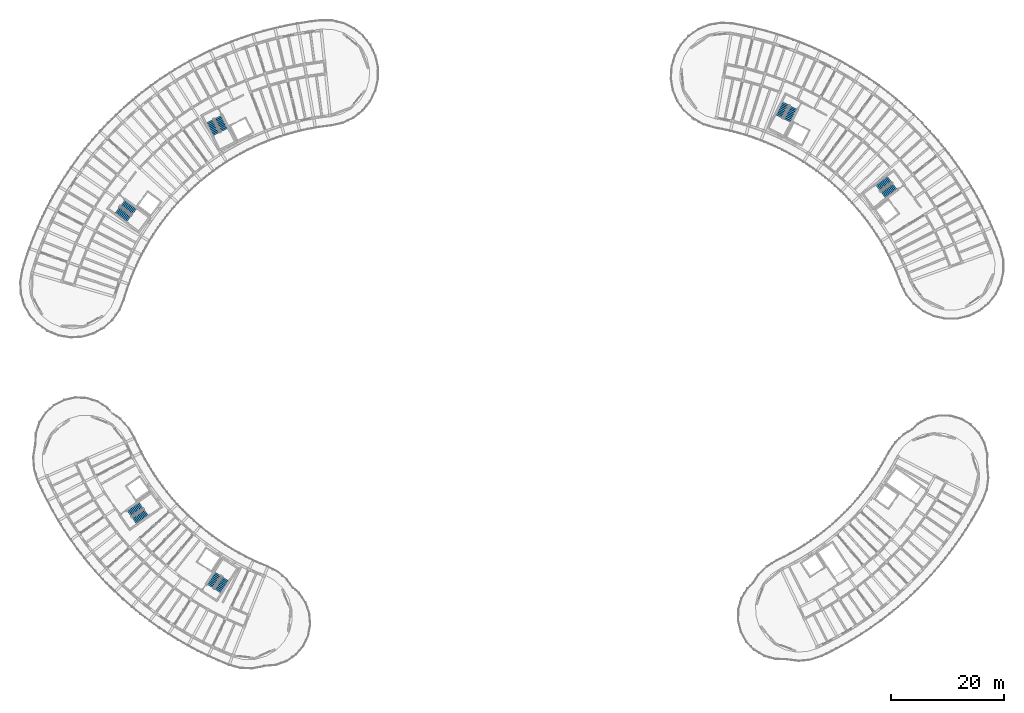
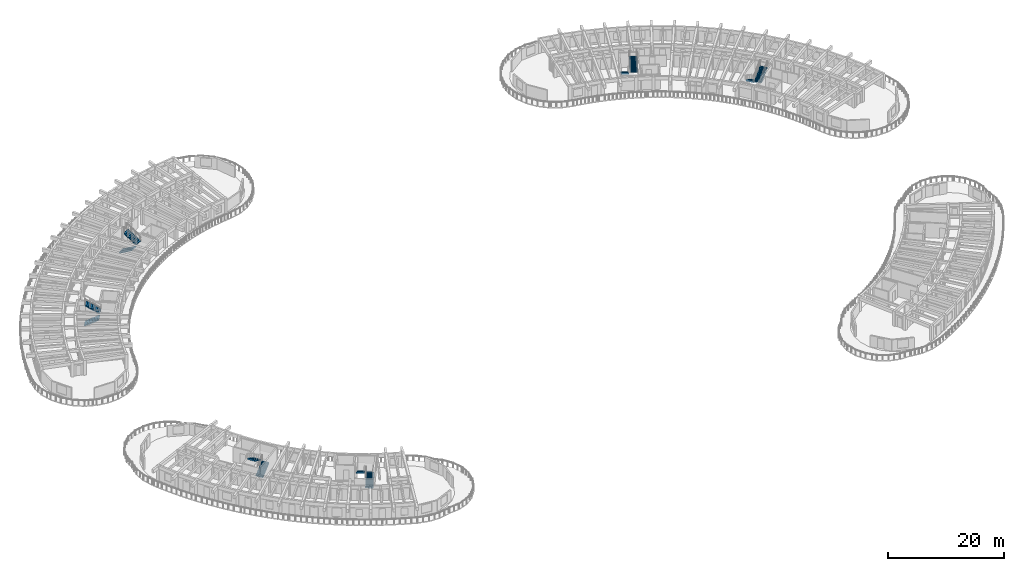
# One storey, part 37 of 56: 12 stair flights, 6 elements without a shape of their own.
"""IFC4 building model written with IfcOpenShell, lengths in metres."""

from ifc_helpers import new_model, si_unit, direction, frame, origin, place, context, subcontext, project, spatial, polyline, outline, extrude, material, layer, layer_set, type_object, element, aggregate, save


model = new_model("IFC4")

# Units and contexts
model_context = context("Model", 3, precision=1e-05, world=origin(), true_north=direction((0.0, 1.0)))
body_context = subcontext(model_context, "Body", "Model", "MODEL_VIEW")
ifc_project = project(units=[si_unit("LENGTHUNIT", "METRE"), si_unit("AREAUNIT", "SQUARE_METRE"), si_unit("VOLUMEUNIT", "CUBIC_METRE"), si_unit("PLANEANGLEUNIT", "RADIAN"), si_unit("MASSUNIT", "GRAM", prefix="KILO")], contexts=[model_context])

# Site, building, storey
site_placement = place(None, origin())
site = spatial("IfcSite", under=ifc_project, at=site_placement, CompositionType="ELEMENT")
building_placement = place(site_placement, origin())
building = spatial("IfcBuilding", under=site, at=building_placement, Name="Tanwirah Colonnade Gardens", CompositionType="ELEMENT")
storey_placement = place(building_placement, frame((0.0, 0.0, 29.0)))
storey = spatial("IfcBuildingStorey", under=building, at=storey_placement, Name="L08", CompositionType="ELEMENT", Elevation=29.0)

# Stair, stair flights
ifc_material = material(Name="Precast concrete C40/50", Category="concrete")
stair_type = type_object("IfcStairType", Name="ST-RES168", PredefinedType="HALF_TURN_STAIR", material=ifc_material)
stair_1_placement = place(storey_placement, origin())
stair_1 = element("IfcStair", 1, at=stair_1_placement, inside=storey, type_object=stair_type, Name="L08 Block A Core 1 Exit Stair", PredefinedType="HALF_TURN_STAIR")
ifc_layer = layer(ifc_material, 0.14990234375)
ifc_layer_set = layer_set([ifc_layer], Name="Precast concrete C40/50")
stair_flight_type = type_object("IfcStairFlightType", Name="FLT-RES150", PredefinedType="STRAIGHT", material=ifc_layer_set)
stair_flight_1_placement = place(storey_placement, frame((39.148681640625, 103.425048828125, 0.0), z_axis=(0.0, 0.0, 1.0), x_axis=(0.45399049974, -0.891006524188, 0.0)))
stair_flight_1 = element("IfcStairFlight", 2, at=stair_flight_1_placement, type_object=stair_flight_type, Name="ST-A1 flight 1", NumberOfRisers=10, NumberOfTreads=9, PredefinedType="STRAIGHT", RiserHeight=0.168, TreadLength=0.285, context=body_context, shape_type="SweptSolid", body=[
    extrude(outline(polyline([(-0.0048828125, 0.0), (0.0, 0.16796875), (0.284912109375, 0.16796875), (0.284912109375, 0.3359375), (0.570068359375, 0.3359375), (0.570068359375, 0.50390625), (0.85498046875, 0.50390625), (0.85498046875, 0.672119140625), (1.139892578125, 0.672119140625), (1.139892578125, 0.840087890625), (1.425048828125, 0.840087890625), (1.425048828125, 1.008056640625), (1.7099609375, 1.008056640625), (1.7099609375, 1.176025390625), (1.9951171875, 1.176025390625), (1.9951171875, 1.343994140625), (2.280029296875, 1.343994140625), (2.280029296875, 1.511962890625), (2.56494140625, 1.511962890625), (2.570068359375, 1.679931640625), (2.570068359375, 1.337890625), (0.30029296875, 0.0), (-0.0048828125, 0.0)])), frame((0.0, 0.68994140625, 0.0), z_axis=(0.0, -1.0, 0.0), x_axis=(1.0, 0.0, 0.0)), (0.0, 0.0, 1.0), 1.3798828125),
])
stair_flight_2_placement = place(storey_placement, frame((41.685302734375, 101.838623046875, 1.679931640625), z_axis=(0.0, 0.0, 1.0), x_axis=(-0.45399049974, 0.891006524188, 0.0)))
stair_flight_2 = element("IfcStairFlight", 3, at=stair_flight_2_placement, type_object=stair_flight_type, Name="ST-A1 flight 2", NumberOfRisers=10, NumberOfTreads=9, PredefinedType="STRAIGHT", RiserHeight=0.168, TreadLength=0.285, context=body_context, shape_type="SweptSolid", body=[
    extrude(outline(polyline([(-0.0048828125, 0.0), (0.0, 0.16796875), (0.284912109375, 0.16796875), (0.284912109375, 0.3359375), (0.570068359375, 0.3359375), (0.570068359375, 0.50390625), (0.85498046875, 0.50390625), (0.85498046875, 0.672119140625), (1.139892578125, 0.672119140625), (1.139892578125, 0.840087890625), (1.425048828125, 0.840087890625), (1.425048828125, 1.008056640625), (1.7099609375, 1.008056640625), (1.7099609375, 1.176025390625), (1.9951171875, 1.176025390625), (1.9951171875, 1.343994140625), (2.280029296875, 1.343994140625), (2.280029296875, 1.511962890625), (2.56494140625, 1.511962890625), (2.570068359375, 1.679931640625), (2.570068359375, 1.337890625), (0.30029296875, 0.0), (-0.0048828125, 0.0)])), frame((0.0, 0.68994140625, 0.0), z_axis=(0.0, -1.0, 0.0), x_axis=(1.0, 0.0, 0.0)), (0.0, 0.0, 1.0), 1.3798828125),
])
aggregate(stair_1, [stair_flight_1, stair_flight_2])

stair_2_placement = place(storey_placement, origin())
stair_2 = element("IfcStair", 4, at=stair_2_placement, inside=storey, type_object=stair_type, Name="L08 Block A Core 2 Exit Stair", PredefinedType="HALF_TURN_STAIR")
stair_flight_3_placement = place(storey_placement, frame((22.81640625, 87.7177734375, 0.0), z_axis=(0.0, 0.0, 1.0), x_axis=(0.798635510047, -0.601815023152, 0.0)))
stair_flight_3 = element("IfcStairFlight", 5, at=stair_flight_3_placement, type_object=stair_flight_type, Name="ST-A2 flight 1", NumberOfRisers=10, NumberOfTreads=9, PredefinedType="STRAIGHT", RiserHeight=0.168, TreadLength=0.285, context=body_context, shape_type="SweptSolid", body=[
    extrude(outline(polyline([(-0.0048828125, 0.0), (0.0, 0.16796875), (0.284912109375, 0.16796875), (0.284912109375, 0.3359375), (0.570068359375, 0.3359375), (0.570068359375, 0.50390625), (0.85498046875, 0.50390625), (0.85498046875, 0.672119140625), (1.139892578125, 0.672119140625), (1.139892578125, 0.840087890625), (1.425048828125, 0.840087890625), (1.425048828125, 1.008056640625), (1.7099609375, 1.008056640625), (1.7099609375, 1.176025390625), (1.9951171875, 1.176025390625), (1.9951171875, 1.343994140625), (2.280029296875, 1.343994140625), (2.280029296875, 1.511962890625), (2.56494140625, 1.511962890625), (2.570068359375, 1.679931640625), (2.570068359375, 1.337890625), (0.30029296875, 0.0), (-0.0048828125, 0.0)])), frame((0.0, 0.68994140625, 0.0), z_axis=(0.0, -1.0, 0.0), x_axis=(1.0, 0.0, 0.0)), (0.0, 0.0, 1.0), 1.3798828125),
])
stair_flight_4_placement = place(storey_placement, frame((25.791748046875, 87.404052734375, 1.679931640625), z_axis=(0.0, 0.0, 1.0), x_axis=(-0.798635510047, 0.601815023152, 0.0)))
stair_flight_4 = element("IfcStairFlight", 6, at=stair_flight_4_placement, type_object=stair_flight_type, Name="ST-A2 flight 2", NumberOfRisers=10, NumberOfTreads=9, PredefinedType="STRAIGHT", RiserHeight=0.168, TreadLength=0.285, context=body_context, shape_type="SweptSolid", body=[
    extrude(outline(polyline([(-0.0048828125, 0.0), (0.0, 0.16796875), (0.284912109375, 0.16796875), (0.284912109375, 0.3359375), (0.570068359375, 0.3359375), (0.570068359375, 0.50390625), (0.85498046875, 0.50390625), (0.85498046875, 0.672119140625), (1.139892578125, 0.672119140625), (1.139892578125, 0.840087890625), (1.425048828125, 0.840087890625), (1.425048828125, 1.008056640625), (1.7099609375, 1.008056640625), (1.7099609375, 1.176025390625), (1.9951171875, 1.176025390625), (1.9951171875, 1.343994140625), (2.280029296875, 1.343994140625), (2.280029296875, 1.511962890625), (2.56494140625, 1.511962890625), (2.570068359375, 1.679931640625), (2.570068359375, 1.337890625), (0.30029296875, 0.0), (-0.0048828125, 0.0)])), frame((0.0, 0.68994140625, 0.0), z_axis=(0.0, -1.0, 0.0), x_axis=(1.0, 0.0, 0.0)), (0.0, 0.0, 1.0), 1.3798828125),
])
aggregate(stair_2, [stair_flight_3, stair_flight_4])

stair_3_placement = place(storey_placement, origin())
stair_3 = element("IfcStair", 7, at=stair_3_placement, inside=storey, type_object=stair_type, Name="L08 Block B Core 1 Exit Stair", PredefinedType="HALF_TURN_STAIR")
stair_flight_5_placement = place(storey_placement, frame((159.079345703125, 93.16455078125, 0.0), z_axis=(0.0, 0.0, 1.0), x_axis=(-0.798635510047, -0.601815023152, 0.0)))
stair_flight_5 = element("IfcStairFlight", 8, at=stair_flight_5_placement, type_object=stair_flight_type, Name="ST-B1 flight 1", NumberOfRisers=10, NumberOfTreads=9, PredefinedType="STRAIGHT", RiserHeight=0.168, TreadLength=0.285, context=body_context, shape_type="SweptSolid", body=[
    extrude(outline(polyline([(-0.0048828125, 0.0), (0.0, 0.16796875), (0.284912109375, 0.16796875), (0.284912109375, 0.3359375), (0.570068359375, 0.3359375), (0.570068359375, 0.50390625), (0.85498046875, 0.50390625), (0.85498046875, 0.672119140625), (1.139892578125, 0.672119140625), (1.139892578125, 0.840087890625), (1.425048828125, 0.840087890625), (1.425048828125, 1.008056640625), (1.7099609375, 1.008056640625), (1.7099609375, 1.176025390625), (1.9951171875, 1.176025390625), (1.9951171875, 1.343994140625), (2.280029296875, 1.343994140625), (2.280029296875, 1.511962890625), (2.56494140625, 1.511962890625), (2.570068359375, 1.679931640625), (2.570068359375, 1.337890625), (0.30029296875, 0.0), (-0.0048828125, 0.0)])), frame((0.0, 0.68994140625, 0.0), z_axis=(0.0, -1.0, 0.0), x_axis=(1.0, 0.0, 0.0)), (0.0, 0.0, 1.0), 1.3798828125),
])
stair_flight_6_placement = place(storey_placement, frame((157.95751953125, 90.39111328125, 1.679931640625), z_axis=(0.0, 0.0, 1.0), x_axis=(0.798635510047, 0.601815023152, 0.0)))
stair_flight_6 = element("IfcStairFlight", 9, at=stair_flight_6_placement, type_object=stair_flight_type, Name="ST-B1 flight 2", NumberOfRisers=10, NumberOfTreads=9, PredefinedType="STRAIGHT", RiserHeight=0.168, TreadLength=0.285, context=body_context, shape_type="SweptSolid", body=[
    extrude(outline(polyline([(-0.0048828125, 0.0), (0.0, 0.16796875), (0.284912109375, 0.16796875), (0.284912109375, 0.3359375), (0.570068359375, 0.3359375), (0.570068359375, 0.50390625), (0.85498046875, 0.50390625), (0.85498046875, 0.672119140625), (1.139892578125, 0.672119140625), (1.139892578125, 0.840087890625), (1.425048828125, 0.840087890625), (1.425048828125, 1.008056640625), (1.7099609375, 1.008056640625), (1.7099609375, 1.176025390625), (1.9951171875, 1.176025390625), (1.9951171875, 1.343994140625), (2.280029296875, 1.343994140625), (2.280029296875, 1.511962890625), (2.56494140625, 1.511962890625), (2.570068359375, 1.679931640625), (2.570068359375, 1.337890625), (0.30029296875, 0.0), (-0.0048828125, 0.0)])), frame((0.0, 0.68994140625, 0.0), z_axis=(0.0, -1.0, 0.0), x_axis=(1.0, 0.0, 0.0)), (0.0, 0.0, 1.0), 1.3798828125),
])
aggregate(stair_3, [stair_flight_5, stair_flight_6])

stair_4_placement = place(storey_placement, origin())
stair_4 = element("IfcStair", 10, at=stair_4_placement, inside=storey, type_object=stair_type, Name="L08 Block B Core 2 Exit Stair", PredefinedType="HALF_TURN_STAIR")
stair_flight_7_placement = place(storey_placement, frame((140.774658203125, 106.521240234375, 0.0), z_axis=(0.0, 0.0, 1.0), x_axis=(-0.45399049974, -0.891006524188, 0.0)))
stair_flight_7 = element("IfcStairFlight", 11, at=stair_flight_7_placement, type_object=stair_flight_type, Name="ST-B2 flight 1", NumberOfRisers=10, NumberOfTreads=9, PredefinedType="STRAIGHT", RiserHeight=0.168, TreadLength=0.285, context=body_context, shape_type="SweptSolid", body=[
    extrude(outline(polyline([(-0.0048828125, 0.0), (0.0, 0.16796875), (0.284912109375, 0.16796875), (0.284912109375, 0.3359375), (0.570068359375, 0.3359375), (0.570068359375, 0.50390625), (0.85498046875, 0.50390625), (0.85498046875, 0.672119140625), (1.139892578125, 0.672119140625), (1.139892578125, 0.840087890625), (1.425048828125, 0.840087890625), (1.425048828125, 1.008056640625), (1.7099609375, 1.008056640625), (1.7099609375, 1.176025390625), (1.9951171875, 1.176025390625), (1.9951171875, 1.343994140625), (2.280029296875, 1.343994140625), (2.280029296875, 1.511962890625), (2.56494140625, 1.511962890625), (2.570068359375, 1.679931640625), (2.570068359375, 1.337890625), (0.30029296875, 0.0), (-0.0048828125, 0.0)])), frame((0.0, 0.68994140625, 0.0), z_axis=(0.0, -1.0, 0.0), x_axis=(1.0, 0.0, 0.0)), (0.0, 0.0, 1.0), 1.3798828125),
])
stair_flight_8_placement = place(storey_placement, frame((140.982421875, 103.53662109375, 1.679931640625), z_axis=(0.0, 0.0, 1.0), x_axis=(0.45399049974, 0.891006524188, 0.0)))
stair_flight_8 = element("IfcStairFlight", 12, at=stair_flight_8_placement, type_object=stair_flight_type, Name="ST-B2 flight 2", NumberOfRisers=10, NumberOfTreads=9, PredefinedType="STRAIGHT", RiserHeight=0.168, TreadLength=0.285, context=body_context, shape_type="SweptSolid", body=[
    extrude(outline(polyline([(-0.0048828125, 0.0), (0.0, 0.16796875), (0.284912109375, 0.16796875), (0.284912109375, 0.3359375), (0.570068359375, 0.3359375), (0.570068359375, 0.50390625), (0.85498046875, 0.50390625), (0.85498046875, 0.672119140625), (1.139892578125, 0.672119140625), (1.139892578125, 0.840087890625), (1.425048828125, 0.840087890625), (1.425048828125, 1.008056640625), (1.7099609375, 1.008056640625), (1.7099609375, 1.176025390625), (1.9951171875, 1.176025390625), (1.9951171875, 1.343994140625), (2.280029296875, 1.343994140625), (2.280029296875, 1.511962890625), (2.56494140625, 1.511962890625), (2.570068359375, 1.679931640625), (2.570068359375, 1.337890625), (0.30029296875, 0.0), (-0.0048828125, 0.0)])), frame((0.0, 0.68994140625, 0.0), z_axis=(0.0, -1.0, 0.0), x_axis=(1.0, 0.0, 0.0)), (0.0, 0.0, 1.0), 1.3798828125),
])
aggregate(stair_4, [stair_flight_7, stair_flight_8])

stair_5_placement = place(storey_placement, origin())
stair_5 = element("IfcStair", 13, at=stair_5_placement, inside=storey, type_object=stair_type, Name="L08 Block C Core 1 Exit Stair", PredefinedType="HALF_TURN_STAIR")
stair_flight_9_placement = place(storey_placement, frame((25.79345703125, 32.884521484375, 0.0), z_axis=(0.0, 0.0, 1.0), x_axis=(0.819152044289, 0.573576436351, 0.0)))
stair_flight_9 = element("IfcStairFlight", 14, at=stair_flight_9_placement, type_object=stair_flight_type, Name="ST-C1 flight 1", NumberOfRisers=10, NumberOfTreads=9, PredefinedType="STRAIGHT", RiserHeight=0.168, TreadLength=0.285, context=body_context, shape_type="SweptSolid", body=[
    extrude(outline(polyline([(-0.0048828125, 0.0), (0.0, 0.16796875), (0.284912109375, 0.16796875), (0.284912109375, 0.3359375), (0.570068359375, 0.3359375), (0.570068359375, 0.50390625), (0.85498046875, 0.50390625), (0.85498046875, 0.672119140625), (1.139892578125, 0.672119140625), (1.139892578125, 0.840087890625), (1.425048828125, 0.840087890625), (1.425048828125, 1.008056640625), (1.7099609375, 1.008056640625), (1.7099609375, 1.176025390625), (1.9951171875, 1.176025390625), (1.9951171875, 1.343994140625), (2.280029296875, 1.343994140625), (2.280029296875, 1.511962890625), (2.56494140625, 1.511962890625), (2.570068359375, 1.679931640625), (2.570068359375, 1.337890625), (0.30029296875, 0.0), (-0.0048828125, 0.0)])), frame((0.0, 0.68994140625, 0.0), z_axis=(0.0, -1.0, 0.0), x_axis=(1.0, 0.0, 0.0)), (0.0, 0.0, 1.0), 1.3798828125),
])
stair_flight_10_placement = place(storey_placement, frame((27.01123046875, 35.6171875, 1.679931640625), z_axis=(0.0, 0.0, 1.0), x_axis=(-0.819152044289, -0.573576436351, 0.0)))
stair_flight_10 = element("IfcStairFlight", 15, at=stair_flight_10_placement, type_object=stair_flight_type, Name="ST-C1 flight 2", NumberOfRisers=10, NumberOfTreads=9, PredefinedType="STRAIGHT", RiserHeight=0.168, TreadLength=0.285, context=body_context, shape_type="SweptSolid", body=[
    extrude(outline(polyline([(-0.0048828125, 0.0), (0.0, 0.16796875), (0.284912109375, 0.16796875), (0.284912109375, 0.3359375), (0.570068359375, 0.3359375), (0.570068359375, 0.50390625), (0.85498046875, 0.50390625), (0.85498046875, 0.672119140625), (1.139892578125, 0.672119140625), (1.139892578125, 0.840087890625), (1.425048828125, 0.840087890625), (1.425048828125, 1.008056640625), (1.7099609375, 1.008056640625), (1.7099609375, 1.176025390625), (1.9951171875, 1.176025390625), (1.9951171875, 1.343994140625), (2.280029296875, 1.343994140625), (2.280029296875, 1.511962890625), (2.56494140625, 1.511962890625), (2.570068359375, 1.679931640625), (2.570068359375, 1.337890625), (0.30029296875, 0.0), (-0.0048828125, 0.0)])), frame((0.0, 0.68994140625, 0.0), z_axis=(0.0, -1.0, 0.0), x_axis=(1.0, 0.0, 0.0)), (0.0, 0.0, 1.0), 1.3798828125),
])
aggregate(stair_5, [stair_flight_9, stair_flight_10])

stair_6_placement = place(storey_placement, origin())
stair_6 = element("IfcStair", 16, at=stair_6_placement, inside=storey, type_object=stair_type, Name="L08 Block C Core 2 Exit Stair", PredefinedType="HALF_TURN_STAIR")
stair_flight_11_placement = place(storey_placement, frame((40.49169921875, 20.49951171875, 0.0), z_axis=(0.0, 0.0, 1.0), x_axis=(0.544639035015, 0.838670567945, 0.0)))
stair_flight_11 = element("IfcStairFlight", 17, at=stair_flight_11_placement, type_object=stair_flight_type, Name="ST-C2 flight 1", NumberOfRisers=10, NumberOfTreads=9, PredefinedType="STRAIGHT", RiserHeight=0.168, TreadLength=0.285, context=body_context, shape_type="SweptSolid", body=[
    extrude(outline(polyline([(-0.0048828125, 0.0), (0.0, 0.16796875), (0.284912109375, 0.16796875), (0.284912109375, 0.3359375), (0.570068359375, 0.3359375), (0.570068359375, 0.50390625), (0.85498046875, 0.50390625), (0.85498046875, 0.672119140625), (1.139892578125, 0.672119140625), (1.139892578125, 0.840087890625), (1.425048828125, 0.840087890625), (1.425048828125, 1.008056640625), (1.7099609375, 1.008056640625), (1.7099609375, 1.176025390625), (1.9951171875, 1.176025390625), (1.9951171875, 1.343994140625), (2.280029296875, 1.343994140625), (2.280029296875, 1.511962890625), (2.56494140625, 1.511962890625), (2.570068359375, 1.679931640625), (2.570068359375, 1.337890625), (0.30029296875, 0.0), (-0.0048828125, 0.0)])), frame((0.0, 0.68994140625, 0.0), z_axis=(0.0, -1.0, 0.0), x_axis=(1.0, 0.0, 0.0)), (0.0, 0.0, 1.0), 1.3798828125),
])
stair_flight_12_placement = place(storey_placement, frame((40.59716796875, 23.489501953125, 1.679931640625), z_axis=(0.0, 0.0, 1.0), x_axis=(-0.544639035015, -0.838670567945, 0.0)))
stair_flight_12 = element("IfcStairFlight", 18, at=stair_flight_12_placement, type_object=stair_flight_type, Name="ST-C2 flight 2", NumberOfRisers=10, NumberOfTreads=9, PredefinedType="STRAIGHT", RiserHeight=0.168, TreadLength=0.285, context=body_context, shape_type="SweptSolid", body=[
    extrude(outline(polyline([(-0.0048828125, 0.0), (0.0, 0.16796875), (0.284912109375, 0.16796875), (0.284912109375, 0.3359375), (0.570068359375, 0.3359375), (0.570068359375, 0.50390625), (0.85498046875, 0.50390625), (0.85498046875, 0.672119140625), (1.139892578125, 0.672119140625), (1.139892578125, 0.840087890625), (1.425048828125, 0.840087890625), (1.425048828125, 1.008056640625), (1.7099609375, 1.008056640625), (1.7099609375, 1.176025390625), (1.9951171875, 1.176025390625), (1.9951171875, 1.343994140625), (2.280029296875, 1.343994140625), (2.280029296875, 1.511962890625), (2.56494140625, 1.511962890625), (2.570068359375, 1.679931640625), (2.570068359375, 1.337890625), (0.30029296875, 0.0), (-0.0048828125, 0.0)])), frame((0.0, 0.68994140625, 0.0), z_axis=(0.0, -1.0, 0.0), x_axis=(1.0, 0.0, 0.0)), (0.0, 0.0, 1.0), 1.3798828125),
])
aggregate(stair_6, [stair_flight_11, stair_flight_12])

save(model, "model.ifc")
